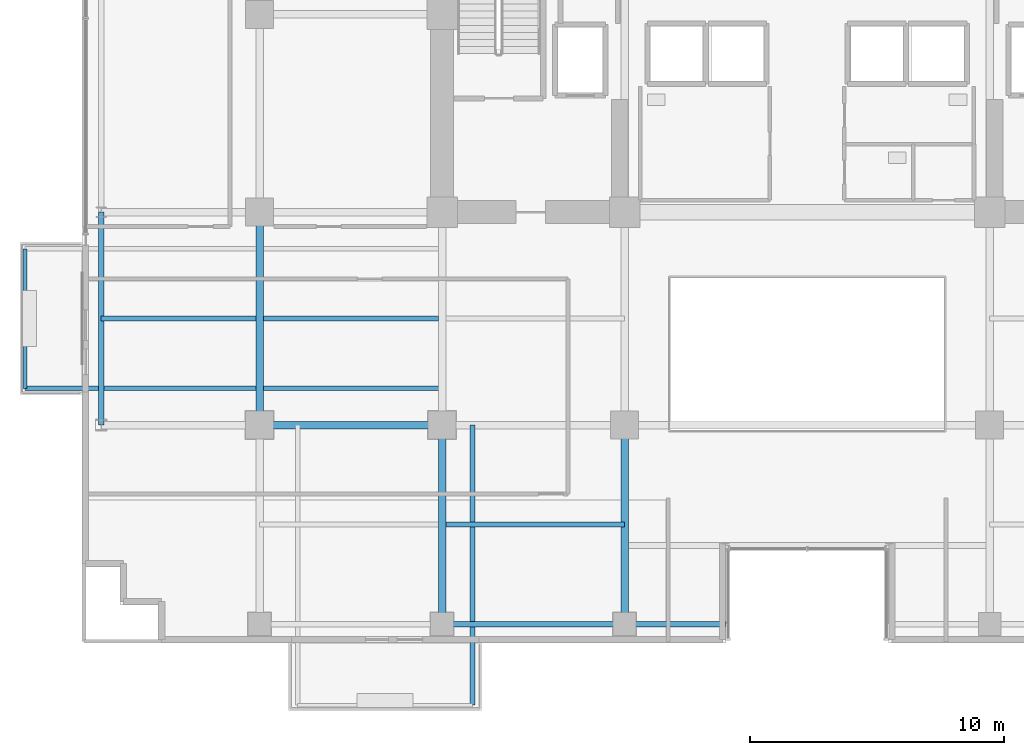
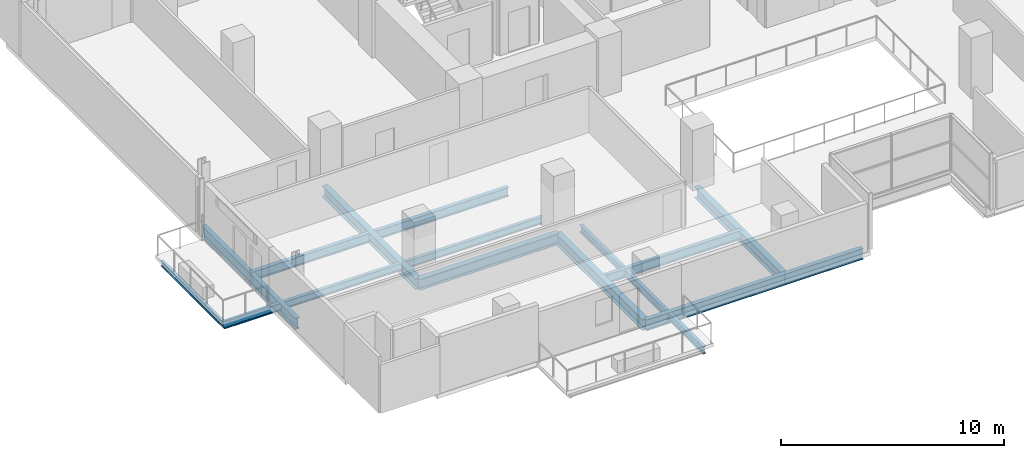
# One storey, part 2 of 31: 13 beams.
"""IFC4 building model written with IfcOpenShell, lengths in metres."""

from ifc_helpers import new_model, si_unit, direction, frame, origin, origin_2d, place, context, subcontext, project, spatial, i_section, extrude, material, material_profile, profile_set, type_object, element, save


model = new_model("IFC4")

# Units and contexts
model_context = context("Model", 3, precision=1e-05, world=origin(), true_north=direction((0.0, 1.0)))
body_context = subcontext(model_context, "Body", "Model", "MODEL_VIEW")
ifc_project = project(units=[si_unit("LENGTHUNIT", "METRE"), si_unit("AREAUNIT", "SQUARE_METRE"), si_unit("VOLUMEUNIT", "CUBIC_METRE"), si_unit("PLANEANGLEUNIT", "RADIAN"), si_unit("MASSUNIT", "GRAM", prefix="KILO")], contexts=[model_context])

# Site, building, storey
site_placement = place(None, origin())
site = spatial("IfcSite", under=ifc_project, at=site_placement, CompositionType="ELEMENT")
building_placement = place(site_placement, origin())
building = spatial("IfcBuilding", under=site, at=building_placement, Name="Zarnakvel Exchange Tower", CompositionType="ELEMENT")
storey_placement = place(building_placement, frame((0.0, 0.0, 60.39990234375)))
storey = spatial("IfcBuildingStorey", under=building, at=storey_placement, Name="L16", CompositionType="ELEMENT", Elevation=60.39990234375)

# Beams
ifc_material = material(Name="Steel S355", Category="steel")
ifc_material_profile_1 = material_profile(ifc_material, i_section(OverallWidth=0.199951171875, OverallDepth=0.5, WebThickness=0.01025390625, FlangeThickness=0.01611328125, FilletRadius=0.02099609375, at=origin_2d()))
ifc_profile_set_1 = profile_set([ifc_material_profile_1], Name="Steel S355")
beam_type_1 = type_object("IfcBeamType", Name="B-04", PredefinedType="JOIST", material=ifc_profile_set_1)
beam_1_placement = place(storey_placement, frame((-14.25, -13.52490234375, -0.474853515625), z_axis=(1.0, 0.0, 0.0), x_axis=(0.0, 1.0, 0.0)))
element("IfcBeam", 1, at=beam_1_placement, inside=storey, type_object=beam_type_1, Name="L16 Composite Floor Secondary Joist", PredefinedType="JOIST", context=body_context, shape_type="SweptSolid", body=[
    extrude(i_section(OverallWidth=0.199951171875, OverallDepth=0.5, WebThickness=0.01025390625, FlangeThickness=0.01611328125, FilletRadius=0.02099609375, at=origin_2d()), origin(), (0.0, 0.0, 1.0), 7.050048828125),
])
beam_2_placement = place(storey_placement, frame((-27.85009765625, -5.39990234375, -0.474853515625), z_axis=(1.0, 0.0, 0.0), x_axis=(0.0, 1.0, 0.0)))
element("IfcBeam", 2, at=beam_2_placement, inside=storey, type_object=beam_type_1, Name="L16 Composite Floor Secondary Joist", PredefinedType="JOIST", context=body_context, shape_type="SweptSolid", body=[
    extrude(i_section(OverallWidth=0.199951171875, OverallDepth=0.5, WebThickness=0.01025390625, FlangeThickness=0.01611328125, FilletRadius=0.02099609375, at=origin_2d()), origin(), (0.0, 0.0, 1.0), 6.10009765625),
])
beam_3_placement = place(storey_placement, frame((-21.449951171875, -5.39990234375, -0.474853515625), z_axis=(1.0, 0.0, 0.0), x_axis=(0.0, 1.0, 0.0)))
element("IfcBeam", 3, at=beam_3_placement, inside=storey, type_object=beam_type_1, Name="L16 Composite Floor Secondary Joist", PredefinedType="JOIST", context=body_context, shape_type="SweptSolid", body=[
    extrude(i_section(OverallWidth=0.199951171875, OverallDepth=0.5, WebThickness=0.01025390625, FlangeThickness=0.01611328125, FilletRadius=0.02099609375, at=origin_2d()), origin(), (0.0, 0.0, 1.0), 6.89990234375),
])
ifc_material_profile_2 = material_profile(ifc_material, i_section(OverallWidth=0.179931640625, OverallDepth=0.39990234375, WebThickness=0.008544921875, FlangeThickness=0.013427734375, FilletRadius=0.02099609375, at=origin_2d()))
ifc_profile_set_2 = profile_set([ifc_material_profile_2], Name="Steel S355")
beam_type_2 = type_object("IfcBeamType", Name="B-06", PredefinedType="JOIST", material=ifc_profile_set_2)
beam_4_placement = place(storey_placement, frame((-13.199951171875, -9.60009765625, -0.4248046875), z_axis=(0.0, -1.0, 0.0), x_axis=(1.0, 0.0, 0.0)))
element("IfcBeam", 4, at=beam_4_placement, inside=storey, type_object=beam_type_2, Name="L16 Continuous Back-Spanned Balcony Beam E", PredefinedType="JOIST", context=body_context, shape_type="SweptSolid", body=[
    extrude(i_section(OverallWidth=0.179931640625, OverallDepth=0.39990234375, WebThickness=0.008544921875, FlangeThickness=0.013427734375, FilletRadius=0.02099609375, at=origin_2d()), origin(), (0.0, 0.0, 1.0), 11.0498046875),
])
beam_5_placement = place(storey_placement, frame((-14.39990234375, -8.14990234375, -0.4248046875), z_axis=(-1.0, 0.0, 0.0), x_axis=(0.0, -1.0, 0.0)))
element("IfcBeam", 5, at=beam_5_placement, inside=storey, type_object=beam_type_2, Name="L16 Continuous West Loggia Beam S", PredefinedType="JOIST", context=body_context, shape_type="SweptSolid", body=[
    extrude(i_section(OverallWidth=0.179931640625, OverallDepth=0.39990234375, WebThickness=0.008544921875, FlangeThickness=0.013427734375, FilletRadius=0.02099609375, at=origin_2d()), origin(), (0.0, 0.0, 1.0), 16.4501953125),
])
ifc_material_profile_3 = material_profile(ifc_material, i_section(OverallWidth=0.14990234375, OverallDepth=0.300048828125, WebThickness=0.007080078125, FlangeThickness=0.0107421875, FilletRadius=0.014892578125, at=origin_2d()))
ifc_profile_set_3 = profile_set([ifc_material_profile_3], Name="Steel S355")
beam_type_3 = type_object("IfcBeamType", Name="B-08", PredefinedType="JOIST", material=ifc_profile_set_3)
beam_6_placement = place(storey_placement, frame((-30.85009765625, -8.14990234375, -0.375), z_axis=(0.0, 1.0, 0.0), x_axis=(-1.0, 0.0, 0.0)))
element("IfcBeam", 6, at=beam_6_placement, inside=storey, type_object=beam_type_3, Name="L16 West Loggia Edge Beam", PredefinedType="JOIST", context=body_context, shape_type="SweptSolid", body=[
    extrude(i_section(OverallWidth=0.14990234375, OverallDepth=0.300048828125, WebThickness=0.007080078125, FlangeThickness=0.0107421875, FilletRadius=0.014892578125, at=origin_2d()), origin(), (0.0, 0.0, 1.0), 5.5),
])
ifc_material_profile_4 = material_profile(ifc_material, i_section(OverallWidth=0.300048828125, OverallDepth=0.60009765625, WebThickness=0.015380859375, FlangeThickness=0.030029296875, FilletRadius=0.027099609375, at=origin_2d()))
ifc_profile_set_4 = profile_set([ifc_material_profile_4], Name="Steel S355")
beam_type_4 = type_object("IfcBeamType", Name="G-04", PredefinedType="BEAM", material=ifc_profile_set_4)
beam_7_placement = place(storey_placement, frame((-21.60009765625, -9.60009765625, -0.52490234375), z_axis=(1.0, 0.0, 0.0), x_axis=(0.0, 1.0, 0.0)))
element("IfcBeam", 7, at=beam_7_placement, inside=storey, type_object=beam_type_4, Name="L16 Tower E-W Frame Beam", PredefinedType="BEAM", context=body_context, shape_type="SweptSolid", body=[
    extrude(i_section(OverallWidth=0.300048828125, OverallDepth=0.60009765625, WebThickness=0.015380859375, FlangeThickness=0.030029296875, FilletRadius=0.027099609375, at=origin_2d()), origin(), (0.0, 0.0, 1.0), 7.2001953125),
])
beam_8_placement = place(storey_placement, frame((-21.60009765625, -9.60009765625, -0.52490234375), z_axis=(0.0, 1.0, 0.0), x_axis=(-1.0, 0.0, 0.0)))
element("IfcBeam", 8, at=beam_8_placement, inside=storey, type_object=beam_type_4, Name="L16 Tower N-S Frame Beam", PredefinedType="BEAM", context=body_context, shape_type="SweptSolid", body=[
    extrude(i_section(OverallWidth=0.300048828125, OverallDepth=0.60009765625, WebThickness=0.015380859375, FlangeThickness=0.030029296875, FilletRadius=0.027099609375, at=origin_2d()), origin(), (0.0, 0.0, 1.0), 8.400146484375),
])
for number, where, z_axis, x_axis, name in (
    (9, (-14.39990234375, -17.449951171875, -0.52490234375), (0.0, 1.0, 0.0), (-1.0, 0.0, 0.0), "L16 Tower N-S Frame Beam"),
    (10, (-7.199951171875, -17.449951171875, -0.52490234375), (0.0, 1.0, 0.0), (-1.0, 0.0, 0.0), "L16 Tower N-S Frame Beam"),
):
    element("IfcBeam", number, at=place(storey_placement, frame(where, z_axis=z_axis, x_axis=x_axis)), inside=storey, type_object=beam_type_4, Name=name, PredefinedType="BEAM", context=body_context, shape_type="SweptSolid", body=[
        extrude(i_section(OverallWidth=0.300048828125, OverallDepth=0.60009765625, WebThickness=0.015380859375, FlangeThickness=0.030029296875, FilletRadius=0.027099609375, at=origin_2d()), origin(), (0.0, 0.0, 1.0), 7.849853515625),
    ])
ifc_material_profile_5 = material_profile(ifc_material, i_section(OverallWidth=0.219970703125, OverallDepth=0.60009765625, WebThickness=0.011962890625, FlangeThickness=0.01904296875, FilletRadius=0.02392578125, at=origin_2d()))
ifc_profile_set_5 = profile_set([ifc_material_profile_5], Name="Steel S355")
beam_type_5 = type_object("IfcBeamType", Name="SP-01", PredefinedType="SPANDREL", material=ifc_profile_set_5)
beam_9_placement = place(storey_placement, frame((-14.39990234375, -17.449951171875, -0.52490234375), z_axis=(1.0, 0.0, 0.0), x_axis=(0.0, 1.0, 0.0)))
element("IfcBeam", 11, at=beam_9_placement, inside=storey, type_object=beam_type_5, Name="L16 Tower E-W Frame Beam", PredefinedType="SPANDREL", context=body_context, shape_type="SweptSolid", body=[
    extrude(i_section(OverallWidth=0.219970703125, OverallDepth=0.60009765625, WebThickness=0.011962890625, FlangeThickness=0.01904296875, FilletRadius=0.02392578125, at=origin_2d()), origin(), (0.0, 0.0, 1.0), 7.199951171875),
])
beam_10_placement = place(storey_placement, frame((-7.199951171875, -17.449951171875, -0.52490234375), z_axis=(1.0, 0.0, 0.0), x_axis=(0.0, 1.0, 0.0)))
element("IfcBeam", 12, at=beam_10_placement, inside=storey, type_object=beam_type_5, Name="L16 South Slot West Jamb Spandrel", PredefinedType="SPANDREL", context=body_context, shape_type="SweptSolid", body=[
    extrude(i_section(OverallWidth=0.219970703125, OverallDepth=0.60009765625, WebThickness=0.011962890625, FlangeThickness=0.01904296875, FilletRadius=0.02392578125, at=origin_2d()), origin(), (0.0, 0.0, 1.0), 4.0),
])
beam_11_placement = place(storey_placement, frame((-27.85009765625, -9.60009765625, -0.52490234375), z_axis=(0.0, 1.0, 0.0), x_axis=(-1.0, 0.0, 0.0)))
element("IfcBeam", 13, at=beam_11_placement, inside=storey, type_object=beam_type_5, Name="L16 Tower N-S Frame Beam", PredefinedType="SPANDREL", context=body_context, shape_type="SweptSolid", body=[
    extrude(i_section(OverallWidth=0.219970703125, OverallDepth=0.60009765625, WebThickness=0.011962890625, FlangeThickness=0.01904296875, FilletRadius=0.02392578125, at=origin_2d()), origin(), (0.0, 0.0, 1.0), 8.400146484375),
])

save(model, "model.ifc")
